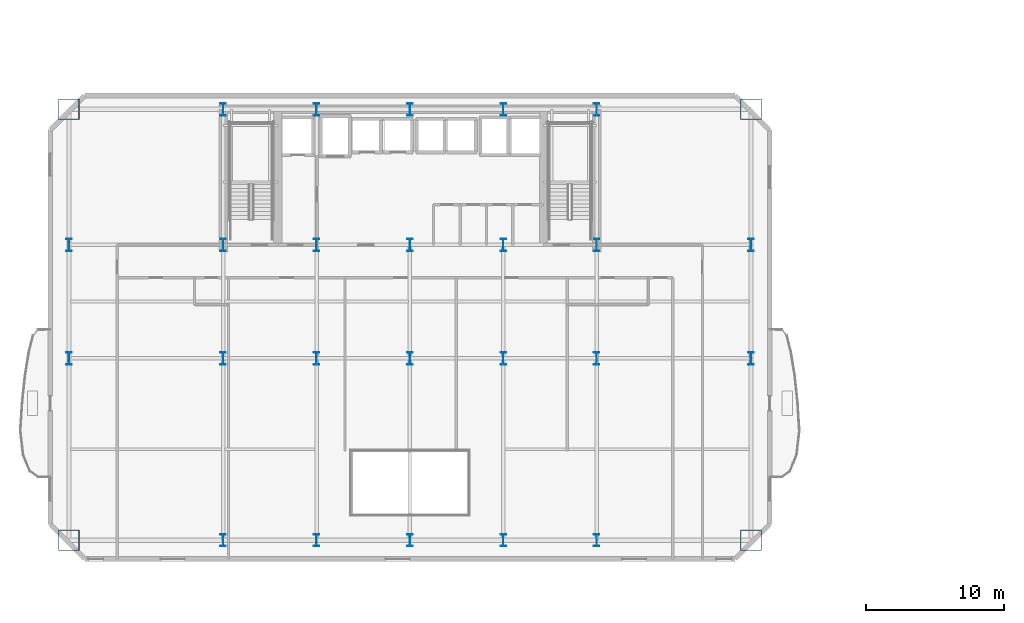
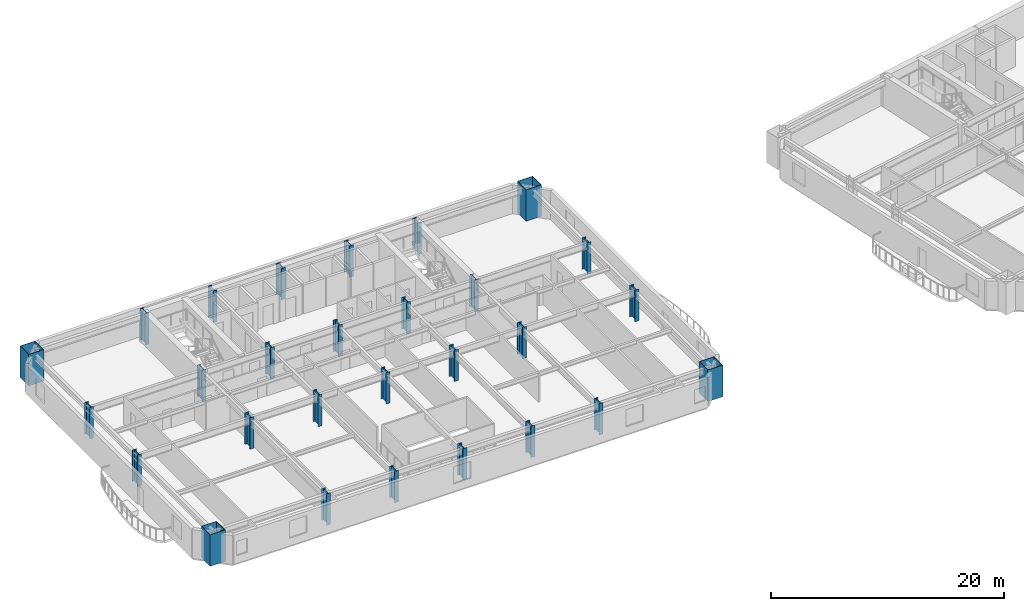
# One storey, part 1 of 15: 28 columns.
"""IFC4 building model written with IfcOpenShell, lengths in metres."""

from ifc_helpers import new_model, si_unit, direction, frame, origin, origin_2d, place, context, subcontext, project, spatial, hollow_rectangle, i_section, extrude, material, material_profile, profile_set, type_object, element, save


model = new_model("IFC4")

# Units and contexts
model_context = context("Model", 3, precision=1e-05, world=origin(), true_north=direction((0.0, 1.0)))
body_context = subcontext(model_context, "Body", "Model", "MODEL_VIEW")
ifc_project = project(units=[si_unit("LENGTHUNIT", "METRE"), si_unit("AREAUNIT", "SQUARE_METRE"), si_unit("VOLUMEUNIT", "CUBIC_METRE"), si_unit("PLANEANGLEUNIT", "RADIAN"), si_unit("MASSUNIT", "GRAM", prefix="KILO")], contexts=[model_context])

# Site, building, storey
site_placement = place(None, origin())
site = spatial("IfcSite", under=ifc_project, at=site_placement, CompositionType="ELEMENT")
building_placement = place(site_placement, origin())
building = spatial("IfcBuilding", under=site, at=building_placement, Name="Haevon Station Towers", CompositionType="ELEMENT")
storey_placement = place(building_placement, frame((0.0, 0.0, 63.60009765625)))
storey = spatial("IfcBuildingStorey", under=building, at=storey_placement, Name="L16", CompositionType="ELEMENT", Elevation=63.60009765625)

# Columns
ifc_material = material(Name="Steel S460", Category="steel")
ifc_material_profile_1 = material_profile(ifc_material, hollow_rectangle(XDim=1.5, YDim=1.5, WallThickness=0.0400390625, at=origin_2d()), Name="BOX-1500x1500x40")
ifc_profile_set_1 = profile_set([ifc_material_profile_1], Name="Steel S460")
column_type_1 = type_object("IfcColumnType", Name="COL-MC2", PredefinedType="COLUMN", material=ifc_profile_set_1)
for number, where, z_axis, x_axis, name in (
    (1, (12.85009765625, 16.85009765625, 0.0), (0.0, 0.0, 1.0), (1.0, 0.0, 0.0), "COL-T1-L16-01-01"),
    (2, (12.85009765625, 48.0, 0.0), (0.0, 0.0, 1.0), (1.0, 0.0, 0.0), "COL-T1-L16-01-04"),
    (3, (62.14990234375, 16.85009765625, 0.0), (0.0, 0.0, 1.0), (1.0, 0.0, 0.0), "COL-T1-L16-07-01"),
    (4, (62.14990234375, 48.0, 0.0), (0.0, 0.0, 1.0), (1.0, 0.0, 0.0), "COL-T1-L16-07-04"),
):
    element("IfcColumn", number, at=place(storey_placement, frame(where, z_axis=z_axis, x_axis=x_axis)), inside=storey, type_object=column_type_1, Name=name, PredefinedType="COLUMN", context=body_context, shape_type="SweptSolid", body=[
        extrude(hollow_rectangle(XDim=1.5, YDim=1.5, WallThickness=0.0400390625, at=origin_2d()), origin(), (0.0, 0.0, 1.0), 3.2998046875),
    ])
ifc_material_profile_2 = material_profile(ifc_material, i_section(OverallWidth=0.39990234375, OverallDepth=0.89990234375, WebThickness=0.02001953125, FlangeThickness=0.035888671875, at=origin_2d()), Name="H-900x400x20x36")
ifc_profile_set_2 = profile_set([ifc_material_profile_2], Name="Steel S460")
column_type_2 = type_object("IfcColumnType", Name="COL-TW1", PredefinedType="COLUMN", material=ifc_profile_set_2)
for number, where, z_axis, x_axis, name in (
    (5, (12.85009765625, 30.0, 0.0), (0.0, 0.0, 1.0), (1.0, 0.0, 0.0), "COL-T1-L16-01-02"),
    (6, (12.85009765625, 38.199951171875, 0.0), (0.0, 0.0, 1.0), (1.0, 0.0, 0.0), "COL-T1-L16-01-03"),
    (7, (24.0, 16.85009765625, 0.0), (0.0, 0.0, 1.0), (1.0, 0.0, 0.0), "COL-T1-L16-02-01"),
    (8, (24.0, 30.0, 0.0), (0.0, 0.0, 1.0), (1.0, 0.0, 0.0), "COL-T1-L16-02-02"),
    (9, (24.0, 38.199951171875, 0.0), (0.0, 0.0, 1.0), (1.0, 0.0, 0.0), "COL-T1-L16-02-03"),
    (10, (24.0, 48.0, 0.0), (0.0, 0.0, 1.0), (1.0, 0.0, 0.0), "COL-T1-L16-02-04"),
    (11, (30.75, 16.85009765625, 0.0), (0.0, 0.0, 1.0), (1.0, 0.0, 0.0), "COL-T1-L16-03-01"),
    (12, (30.75, 30.0, 0.0), (0.0, 0.0, 1.0), (1.0, 0.0, 0.0), "COL-T1-L16-03-02"),
    (13, (30.75, 38.199951171875, 0.0), (0.0, 0.0, 1.0), (1.0, 0.0, 0.0), "COL-T1-L16-03-03"),
    (14, (30.75, 48.0, 0.0), (0.0, 0.0, 1.0), (1.0, 0.0, 0.0), "COL-T1-L16-03-04"),
    (15, (37.5, 16.85009765625, 0.0), (0.0, 0.0, 1.0), (1.0, 0.0, 0.0), "COL-T1-L16-04-01"),
    (16, (37.5, 30.0, 0.0), (0.0, 0.0, 1.0), (1.0, 0.0, 0.0), "COL-T1-L16-04-02"),
    (17, (37.5, 38.199951171875, 0.0), (0.0, 0.0, 1.0), (1.0, 0.0, 0.0), "COL-T1-L16-04-03"),
    (18, (37.5, 48.0, 0.0), (0.0, 0.0, 1.0), (1.0, 0.0, 0.0), "COL-T1-L16-04-04"),
    (19, (44.25, 16.85009765625, 0.0), (0.0, 0.0, 1.0), (1.0, 0.0, 0.0), "COL-T1-L16-05-01"),
    (20, (44.25, 30.0, 0.0), (0.0, 0.0, 1.0), (1.0, 0.0, 0.0), "COL-T1-L16-05-02"),
    (21, (44.25, 38.199951171875, 0.0), (0.0, 0.0, 1.0), (1.0, 0.0, 0.0), "COL-T1-L16-05-03"),
    (22, (44.25, 48.0, 0.0), (0.0, 0.0, 1.0), (1.0, 0.0, 0.0), "COL-T1-L16-05-04"),
    (23, (51.0, 16.85009765625, 0.0), (0.0, 0.0, 1.0), (1.0, 0.0, 0.0), "COL-T1-L16-06-01"),
    (24, (51.0, 30.0, 0.0), (0.0, 0.0, 1.0), (1.0, 0.0, 0.0), "COL-T1-L16-06-02"),
    (25, (51.0, 38.199951171875, 0.0), (0.0, 0.0, 1.0), (1.0, 0.0, 0.0), "COL-T1-L16-06-03"),
    (26, (51.0, 48.0, 0.0), (0.0, 0.0, 1.0), (1.0, 0.0, 0.0), "COL-T1-L16-06-04"),
    (27, (62.14990234375, 30.0, 0.0), (0.0, 0.0, 1.0), (1.0, 0.0, 0.0), "COL-T1-L16-07-02"),
    (28, (62.14990234375, 38.199951171875, 0.0), (0.0, 0.0, 1.0), (1.0, 0.0, 0.0), "COL-T1-L16-07-03"),
):
    element("IfcColumn", number, at=place(storey_placement, frame(where, z_axis=z_axis, x_axis=x_axis)), inside=storey, type_object=column_type_2, Name=name, PredefinedType="COLUMN", context=body_context, shape_type="SweptSolid", body=[
        extrude(i_section(OverallWidth=0.39990234375, OverallDepth=0.89990234375, WebThickness=0.02001953125, FlangeThickness=0.035888671875, at=origin_2d()), origin(), (0.0, 0.0, 1.0), 3.2998046875),
    ])

save(model, "model.ifc")
